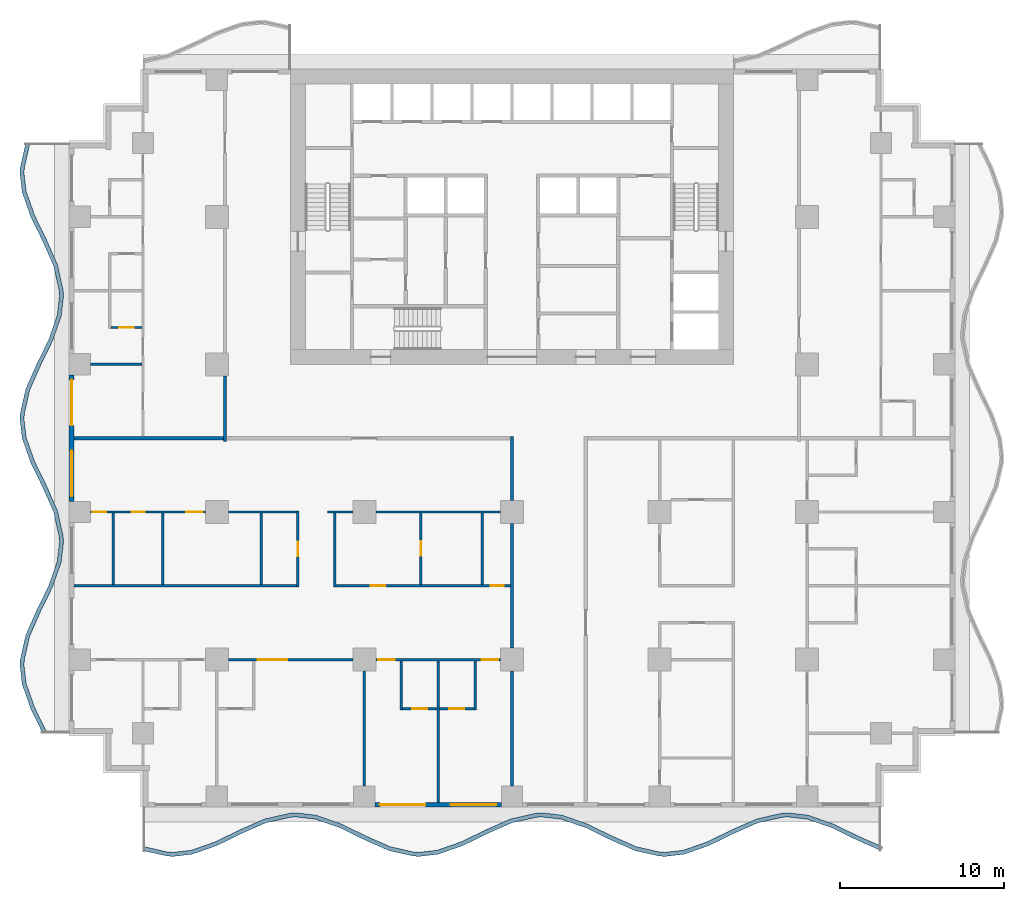
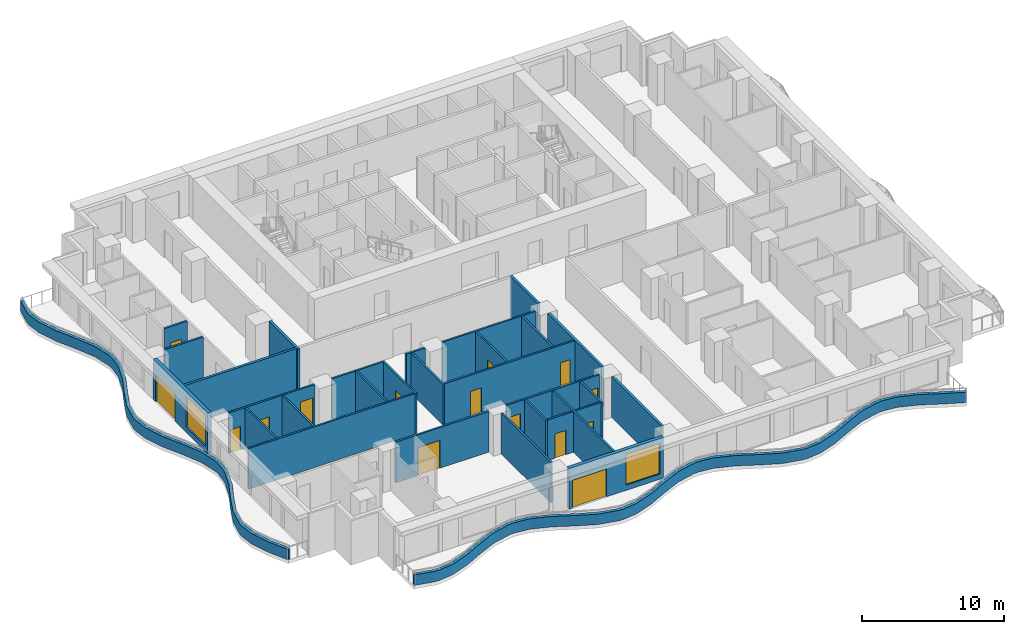
# One storey, part 2 of 14: 32 walls, 15 doors, 2 windows, 17 openings.
"""IFC4 building model written with IfcOpenShell, lengths in metres."""

from ifc_helpers import new_model, si_unit, direction, frame, frame_2d, origin, place, context, subcontext, project, spatial, polyline, rectangle, outline, extrude, material, layer, layer_set, type_object, element, fill, save


model = new_model("IFC4")

# Units and contexts
model_context = context("Model", 3, precision=1e-05, world=origin(), true_north=direction((0.0, 1.0)))
body_context = subcontext(model_context, "Body", "Model", "MODEL_VIEW")
ifc_project = project(units=[si_unit("LENGTHUNIT", "METRE"), si_unit("AREAUNIT", "SQUARE_METRE"), si_unit("VOLUMEUNIT", "CUBIC_METRE"), si_unit("PLANEANGLEUNIT", "RADIAN"), si_unit("MASSUNIT", "GRAM", prefix="KILO")], contexts=[model_context])

# Site, building, storey
site_placement = place(None, origin())
site = spatial("IfcSite", under=ifc_project, at=site_placement, CompositionType="ELEMENT")
building_placement = place(site_placement, origin())
building = spatial("IfcBuilding", under=site, at=building_placement, Name="Orbiselva Terraces", CompositionType="ELEMENT")
storey_placement = place(building_placement, frame((0.0, 0.0, 80.8)))
storey = spatial("IfcBuildingStorey", under=building, at=storey_placement, Name="L20", CompositionType="ELEMENT", Elevation=80.8)

# Walls
ifc_material_1 = material(Name="Concrete C40/50", Category="concrete")
ifc_layer_1 = layer(ifc_material_1, 0.25)
ifc_layer_set_1 = layer_set([ifc_layer_1], Name="Concrete C40/50")
wall_type_1 = type_object("IfcWallType", Name="ENV-PLANTER-250x900", PredefinedType="USERDEFINED", material=ifc_layer_set_1)
wall_1_placement = place(storey_placement, origin())
element("IfcWall", 1, at=wall_1_placement, inside=storey, type_object=wall_type_1, Name="Balcony planter L20 S", ObjectType="PLANTER", PredefinedType="USERDEFINED", context=body_context, shape_type="SweptSolid", body=[
    extrude(outline(polyline([(-22.5, -25.148528), (-21.0, -25.485226), (-20.625, -25.5), (-19.5, -25.369208), (-18.0, -24.844789), (-16.5, -24.112279), (-15.0, -23.451472), (-13.5, -23.114774), (-13.125, -23.1), (-12.0, -23.230792), (-10.5, -23.755211), (-9.0, -24.487721), (-7.5, -25.148528), (-6.0, -25.485226), (-5.625, -25.5), (-4.5, -25.369208), (-3.0, -24.844789), (-1.5, -24.112279), (0.0, -23.451472), (1.5, -23.114774), (1.875, -23.1), (3.0, -23.230792), (4.5, -23.755211), (6.0, -24.487721), (7.5, -25.148528), (9.0, -25.485226), (9.375, -25.5), (10.5, -25.369208), (12.0, -24.844789), (13.5, -24.112279), (15.0, -23.451472), (16.5, -23.114774), (16.875, -23.1), (18.0, -23.230792), (19.5, -23.755211), (21.0, -24.487721), (22.5, -25.148528), (22.600788, -24.919745), (21.105286, -24.260919), (19.59644, -23.524089), (18.056371, -22.985662), (16.884572, -22.849429), (16.467435, -22.865863), (14.921492, -23.212874), (13.394714, -23.885477), (11.90356, -24.613667), (10.443629, -25.124078), (9.365428, -25.249429), (9.032565, -25.236315), (7.578508, -24.90993), (6.105286, -24.260919), (4.59644, -23.524089), (3.056371, -22.985662), (1.884572, -22.849429), (1.467435, -22.865863), (-0.078508, -23.212874), (-1.605286, -23.885477), (-3.09644, -24.613667), (-4.556371, -25.124078), (-5.634572, -25.249429), (-5.967435, -25.236315), (-7.421492, -24.90993), (-8.894714, -24.260919), (-10.40356, -23.524089), (-11.943629, -22.985662), (-13.115428, -22.849429), (-13.532565, -22.865863), (-15.078508, -23.212874), (-16.605286, -23.885477), (-18.09644, -24.613667), (-19.556371, -25.124078), (-20.634572, -25.249429), (-20.967435, -25.236315), (-22.445246, -24.904598), (-22.5, -25.148528)])), origin(), (0.0, 0.0, 1.0), 0.9),
])
wall_2_placement = place(storey_placement, origin())
element("IfcWall", 2, at=wall_2_placement, inside=storey, type_object=wall_type_1, Name="Balcony planter L20 W", ObjectType="PLANTER", PredefinedType="USERDEFINED", context=body_context, shape_type="SweptSolid", body=[
    extrude(outline(polyline([(-29.648528, 18.0), (-29.985226, 16.5), (-30.0, 16.125), (-29.869208, 15.0), (-29.344789, 13.5), (-28.612279, 12.0), (-27.951472, 10.5), (-27.614774, 9.0), (-27.6, 8.625), (-27.730792, 7.5), (-28.255211, 6.0), (-28.987721, 4.5), (-29.648528, 3.0), (-29.985226, 1.5), (-30.0, 1.125), (-29.869208, 0.0), (-29.344789, -1.5), (-28.612279, -3.0), (-27.951472, -4.5), (-27.614774, -6.0), (-27.6, -6.375), (-27.730792, -7.5), (-28.255211, -9.0), (-28.987721, -10.5), (-29.648528, -12.0), (-29.985226, -13.5), (-30.0, -13.875), (-29.869208, -15.0), (-29.344789, -16.5), (-28.612279, -18.0), (-28.387634, -17.890297), (-29.113667, -16.40356), (-29.624078, -14.943629), (-29.749429, -13.865428), (-29.736315, -13.532565), (-29.40993, -12.078508), (-28.760919, -10.605286), (-28.024089, -9.09644), (-27.485662, -7.556371), (-27.349429, -6.384572), (-27.365863, -5.967435), (-27.712874, -4.421492), (-28.385477, -2.894714), (-29.113667, -1.40356), (-29.624078, 0.056371), (-29.749429, 1.134572), (-29.736315, 1.467435), (-29.40993, 2.921492), (-28.760919, 4.394714), (-28.024089, 5.90356), (-27.485662, 7.443629), (-27.349429, 8.615428), (-27.365863, 9.032565), (-27.712874, 10.578508), (-28.385477, 12.105286), (-29.113667, 13.59644), (-29.624078, 15.056371), (-29.749429, 16.134572), (-29.736315, 16.467435), (-29.404598, 17.945246), (-29.648528, 18.0)])), origin(), (0.0, 0.0, 1.0), 0.9),
])

# Wall, openings, door, window
ifc_material_2 = material(Name="Terracotta cladding on masonry backing", Category="masonry")
ifc_layer_2 = layer(ifc_material_2, 0.3)
ifc_layer_set_2 = layer_set([ifc_layer_2], Name="Terracotta cladding on masonry backing")
wall_type_2 = type_object("IfcWallType", Name="ENV-WALL-TERRACOTTA-300", PredefinedType="SOLIDWALL", material=ifc_layer_set_2)
wall_3_placement = place(storey_placement, frame((-0.65, -22.35, 0.0), z_axis=(0.0, 0.0, 1.0), x_axis=(-1.0, 0.0, 0.0)))
wall_3 = element("IfcWall", 3, at=wall_3_placement, inside=storey, type_object=wall_type_2, Name="Facade wall L20 S", PredefinedType="SOLIDWALL", context=body_context, shape_type="SweptSolid", body=[
    extrude(rectangle(XDim=7.7, YDim=0.3, at=frame_2d((3.85, 0.0))), origin(), (0.0, 0.0, 1.0), 3.5),
])
opening_1_placement = place(wall_3_placement, frame((4.625, 0.0, 0.0)))
opening_1 = element("IfcOpeningElement", 4, at=opening_1_placement, cuts=wall_3, Name="Opening Z2-B-E02", PredefinedType="OPENING", context=body_context, shape_type="SweptSolid", body=[
    extrude(rectangle(XDim=2.775, YDim=2.4, at=frame_2d((1.3875, 1.2))), frame((0.0, 0.16, 0.0), z_axis=(0.0, -1.0, 0.0), x_axis=(1.0, 0.0, 0.0)), (0.0, 0.0, 1.0), 0.32),
])
opening_2_placement = place(wall_3_placement, frame((0.3, 0.0, 0.45)))
opening_2 = element("IfcOpeningElement", 5, at=opening_2_placement, cuts=wall_3, Name="Opening WN6", PredefinedType="OPENING", context=body_context, shape_type="SweptSolid", body=[
    extrude(rectangle(XDim=2.775, YDim=2.65, at=frame_2d((1.3875, 1.325))), frame((0.0, 0.16, 0.0), z_axis=(0.0, -1.0, 0.0), x_axis=(1.0, 0.0, 0.0)), (0.0, 0.0, 1.0), 0.32),
])
ifc_material_3 = material(Name="Clear low-e glazing in aluminium frame", Category="aluminium")
door_type_1 = type_object("IfcDoorType", Name="BALCONY DOOR 2775 X 2400", OperationType="DOUBLE_DOOR_SLIDING", PredefinedType="DOOR", material=ifc_material_3)
door_1_placement = place(opening_1_placement, origin())
door_1 = element("IfcDoor", 6, at=door_1_placement, inside=storey, type_object=door_type_1, Name="Z2-B-E02", OperationType="SINGLE_SWING_LEFT", OverallHeight=2.4, OverallWidth=2.775, PredefinedType="DOOR", context=body_context, shape_type="SweptSolid", body=[
    extrude(rectangle(XDim=2.775, YDim=2.4, at=frame_2d((1.3875, 1.2))), frame((0.0, 0.025, 0.0), z_axis=(0.0, -1.0, 0.0), x_axis=(1.0, 0.0, 0.0)), (0.0, 0.0, 1.0), 0.05),
])
fill(opening_1, door_1)
window_type = type_object("IfcWindowType", Name="WINDOW 2775 X 2650 S450", PartitioningType="TRIPLE_PANEL_VERTICAL", PredefinedType="WINDOW", material=ifc_material_3)
window_1_placement = place(opening_2_placement, origin())
window_1 = element("IfcWindow", 7, at=window_1_placement, inside=storey, type_object=window_type, Name="Window L20 S", OverallHeight=2.65, OverallWidth=2.775, PartitioningType="SINGLE_PANEL", PredefinedType="WINDOW", context=body_context, shape_type="SweptSolid", body=[
    extrude(rectangle(XDim=2.775, YDim=2.65, at=frame_2d((1.3875, 1.325))), frame((0.0, 0.03, 0.0), z_axis=(0.0, -1.0, 0.0), x_axis=(1.0, 0.0, 0.0)), (0.0, 0.0, 1.0), 0.06),
])
fill(opening_2, window_1)

wall_4_placement = place(storey_placement, frame((-26.85, -3.85, 0.0), z_axis=(0.0, 0.0, 1.0), x_axis=(0.0, 1.0, 0.0)))
wall_4 = element("IfcWall", 8, at=wall_4_placement, inside=storey, type_object=wall_type_2, Name="Facade wall L20 W", PredefinedType="SOLIDWALL", context=body_context, shape_type="SweptSolid", body=[
    extrude(rectangle(XDim=7.7, YDim=0.3, at=frame_2d((3.85, 0.0))), origin(), (0.0, 0.0, 1.0), 3.5),
])
opening_3_placement = place(wall_4_placement, frame((4.625, 0.0, 0.0)))
opening_3 = element("IfcOpeningElement", 9, at=opening_3_placement, cuts=wall_4, Name="Opening Z2-B-E12", PredefinedType="OPENING", context=body_context, shape_type="SweptSolid", body=[
    extrude(rectangle(XDim=2.775, YDim=2.4, at=frame_2d((1.3875, 1.2))), frame((0.0, 0.16, 0.0), z_axis=(0.0, -1.0, 0.0), x_axis=(1.0, 0.0, 0.0)), (0.0, 0.0, 1.0), 0.32),
])
opening_4_placement = place(wall_4_placement, frame((0.3, 0.0, 0.45)))
opening_4 = element("IfcOpeningElement", 10, at=opening_4_placement, cuts=wall_4, Name="Opening WN6", PredefinedType="OPENING", context=body_context, shape_type="SweptSolid", body=[
    extrude(rectangle(XDim=2.775, YDim=2.65, at=frame_2d((1.3875, 1.325))), frame((0.0, 0.16, 0.0), z_axis=(0.0, -1.0, 0.0), x_axis=(1.0, 0.0, 0.0)), (0.0, 0.0, 1.0), 0.32),
])
door_2_placement = place(opening_3_placement, origin())
door_2 = element("IfcDoor", 11, at=door_2_placement, inside=storey, type_object=door_type_1, Name="Z2-B-E12", OperationType="SINGLE_SWING_LEFT", OverallHeight=2.4, OverallWidth=2.775, PredefinedType="DOOR", context=body_context, shape_type="SweptSolid", body=[
    extrude(rectangle(XDim=2.775, YDim=2.4, at=frame_2d((1.3875, 1.2))), frame((0.0, 0.025, 0.0), z_axis=(0.0, -1.0, 0.0), x_axis=(1.0, 0.0, 0.0)), (0.0, 0.0, 1.0), 0.05),
])
fill(opening_3, door_2)
window_2_placement = place(opening_4_placement, origin())
window_2 = element("IfcWindow", 12, at=window_2_placement, inside=storey, type_object=window_type, Name="Window L20 W", OverallHeight=2.65, OverallWidth=2.775, PartitioningType="SINGLE_PANEL", PredefinedType="WINDOW", context=body_context, shape_type="SweptSolid", body=[
    extrude(rectangle(XDim=2.775, YDim=2.65, at=frame_2d((1.3875, 1.325))), frame((0.0, 0.03, 0.0), z_axis=(0.0, -1.0, 0.0), x_axis=(1.0, 0.0, 0.0)), (0.0, 0.0, 1.0), 0.06),
])
fill(opening_4, window_2)

# Walls
ifc_material_4 = material(Name="Plasterboard on steel stud partition", Category="steel")
ifc_layer_3 = layer(ifc_material_4, 0.2)
ifc_layer_set_3 = layer_set([ifc_layer_3], Name="Plasterboard on steel stud partition")
wall_type_3 = type_object("IfcWallType", Name="UNIT-ENTRANCE-WALL-200", PredefinedType="PARTITIONING", material=ifc_layer_set_3)
wall_5_placement = place(storey_placement, frame((-17.5, -0.2, 0.0), z_axis=(0.0, 0.0, 1.0), x_axis=(0.0, 1.0, 0.0)))
element("IfcWall", 13, at=wall_5_placement, inside=storey, type_object=wall_type_3, Name="PARTITION L20-052", PredefinedType="PARTITIONING", context=body_context, shape_type="SweptSolid", body=[
    extrude(rectangle(XDim=4.0, YDim=0.2, at=frame_2d((2.0, 0.0))), origin(), (0.0, 0.0, 1.0), 3.5),
])
wall_6_placement = place(storey_placement, frame((0.0, -21.2, 0.0), z_axis=(0.0, 0.0, 1.0), x_axis=(0.0, 1.0, 0.0)))
element("IfcWall", 14, at=wall_6_placement, inside=storey, type_object=wall_type_3, Name="PARTITION L20-065", PredefinedType="PARTITIONING", context=body_context, shape_type="SweptSolid", body=[
    extrude(rectangle(XDim=7.0, YDim=0.2, at=frame_2d((3.5, 0.0))), origin(), (0.0, 0.0, 1.0), 3.5),
])
wall_7_placement = place(storey_placement, frame((0.0, -12.8, 0.0), z_axis=(0.0, 0.0, 1.0), x_axis=(0.0, 1.0, 0.0)))
element("IfcWall", 15, at=wall_7_placement, inside=storey, type_object=wall_type_3, Name="PARTITION L20-066", PredefinedType="PARTITIONING", context=body_context, shape_type="SweptSolid", body=[
    extrude(rectangle(XDim=7.6, YDim=0.2, at=frame_2d((3.8, 0.0))), origin(), (0.0, 0.0, 1.0), 3.5),
])
wall_8_placement = place(storey_placement, frame((0.0, -3.8, 0.0), z_axis=(0.0, 0.0, 1.0), x_axis=(0.0, 1.0, 0.0)))
element("IfcWall", 16, at=wall_8_placement, inside=storey, type_object=wall_type_3, Name="PARTITION L20-067", PredefinedType="PARTITIONING", context=body_context, shape_type="SweptSolid", body=[
    extrude(rectangle(XDim=3.9, YDim=0.2, at=frame_2d((1.95, 0.0))), origin(), (0.0, 0.0, 1.0), 3.5),
])

# Wall, opening, door
ifc_layer_4 = layer(ifc_material_4, 0.15)
ifc_layer_set_4 = layer_set([ifc_layer_4], Name="Plasterboard on steel stud partition")
wall_type_4 = type_object("IfcWallType", Name="UNIT-PARTITION-150", PredefinedType="PARTITIONING", material=ifc_layer_set_4)
wall_9_placement = place(storey_placement, frame((-6.675, -16.5, 0.0), z_axis=(0.0, 0.0, 1.0), x_axis=(1.0, 0.0, 0.0)))
wall_9 = element("IfcWall", 17, at=wall_9_placement, inside=storey, type_object=wall_type_4, Name="PARTITION L20-006", PredefinedType="PARTITIONING", context=body_context, shape_type="SweptSolid", body=[
    extrude(rectangle(XDim=2.1, YDim=0.15, at=frame_2d((1.05, 0.0))), origin(), (0.0, 0.0, 1.0), 3.5),
])
opening_5_placement = place(wall_9_placement, frame((0.6, 0.0, 0.0)))
opening_5 = element("IfcOpeningElement", 18, at=opening_5_placement, cuts=wall_9, Name="Opening Z2-B-29", PredefinedType="OPENING", context=body_context, shape_type="SweptSolid", body=[
    extrude(rectangle(XDim=0.9, YDim=2.1, at=frame_2d((0.45, 1.05))), frame((0.0, 0.085, 0.0), z_axis=(0.0, -1.0, 0.0), x_axis=(1.0, 0.0, 0.0)), (0.0, 0.0, 1.0), 0.17),
])
ifc_material_5 = material(Name="Painted timber door leaf", Category="wood")
door_type_2 = type_object("IfcDoorType", Name="BATH DOOR 900", OperationType="NOTDEFINED", PredefinedType="DOOR", material=ifc_material_5)
door_3_placement = place(opening_5_placement, origin())
door_3 = element("IfcDoor", 19, at=door_3_placement, inside=storey, type_object=door_type_2, Name="Z2-B-29", OperationType="SINGLE_SWING_LEFT", OverallHeight=2.1, OverallWidth=0.9, PredefinedType="DOOR", context=body_context, shape_type="SweptSolid", body=[
    extrude(rectangle(XDim=0.9, YDim=2.1, at=frame_2d((0.45, 1.05))), frame((0.0, 0.025, 0.0), z_axis=(0.0, -1.0, 0.0), x_axis=(1.0, 0.0, 0.0)), (0.0, 0.0, 1.0), 0.05),
])
fill(opening_5, door_3)

wall_10_placement = place(storey_placement, frame((-4.425, -16.5, 0.0), z_axis=(0.0, 0.0, 1.0), x_axis=(1.0, 0.0, 0.0)))
wall_10 = element("IfcWall", 20, at=wall_10_placement, inside=storey, type_object=wall_type_4, Name="PARTITION L20-007", PredefinedType="PARTITIONING", context=body_context, shape_type="SweptSolid", body=[
    extrude(rectangle(XDim=2.1, YDim=0.15, at=frame_2d((1.05, 0.0))), origin(), (0.0, 0.0, 1.0), 3.5),
])
opening_6_placement = place(wall_10_placement, frame((0.6, 0.0, 0.0)))
opening_6 = element("IfcOpeningElement", 21, at=opening_6_placement, cuts=wall_10, Name="Opening Z2-B-31", PredefinedType="OPENING", context=body_context, shape_type="SweptSolid", body=[
    extrude(rectangle(XDim=0.9, YDim=2.1, at=frame_2d((0.45, 1.05))), frame((0.0, 0.085, 0.0), z_axis=(0.0, -1.0, 0.0), x_axis=(1.0, 0.0, 0.0)), (0.0, 0.0, 1.0), 0.17),
])
door_4_placement = place(opening_6_placement, origin())
door_4 = element("IfcDoor", 22, at=door_4_placement, inside=storey, type_object=door_type_2, Name="Z2-B-31", OperationType="SINGLE_SWING_RIGHT", OverallHeight=2.1, OverallWidth=0.9, PredefinedType="DOOR", context=body_context, shape_type="SweptSolid", body=[
    extrude(rectangle(XDim=0.9, YDim=2.1, at=frame_2d((0.45, 1.05))), frame((0.0, 0.025, 0.0), z_axis=(0.0, -1.0, 0.0), x_axis=(1.0, 0.0, 0.0)), (0.0, 0.0, 1.0), 0.05),
])
fill(opening_6, door_4)

wall_11_placement = place(storey_placement, frame((-9.7, -13.5, 0.0), z_axis=(0.0, 0.0, 1.0), x_axis=(-1.0, 0.0, 0.0)))
wall_11 = element("IfcWall", 23, at=wall_11_placement, inside=storey, type_object=wall_type_4, Name="PARTITION L20-009", PredefinedType="PARTITIONING", context=body_context, shape_type="SweptSolid", body=[
    extrude(rectangle(XDim=7.6, YDim=0.15, at=frame_2d((3.8, 0.0))), origin(), (0.0, 0.0, 1.0), 3.5),
])
opening_7_placement = place(wall_11_placement, frame((4.0, 0.0, 0.0)))
opening_7 = element("IfcOpeningElement", 24, at=opening_7_placement, cuts=wall_11, Name="Opening Z2-B-26", PredefinedType="OPENING", context=body_context, shape_type="SweptSolid", body=[
    extrude(rectangle(XDim=1.8, YDim=2.4, at=frame_2d((0.9, 1.2))), frame((0.0, 0.085, 0.0), z_axis=(0.0, -1.0, 0.0), x_axis=(1.0, 0.0, 0.0)), (0.0, 0.0, 1.0), 0.17),
])
door_type_3 = type_object("IfcDoorType", Name="DOUBLE DOOR 1800", OperationType="NOTDEFINED", PredefinedType="DOOR", material=ifc_material_5)
door_5_placement = place(opening_7_placement, origin())
door_5 = element("IfcDoor", 25, at=door_5_placement, inside=storey, type_object=door_type_3, Name="Z2-B-26", OperationType="DOUBLE_DOOR_SINGLE_SWING", OverallHeight=2.4, OverallWidth=1.8, PredefinedType="DOOR", context=body_context, shape_type="SweptSolid", body=[
    extrude(rectangle(XDim=1.8, YDim=2.4, at=frame_2d((0.9, 1.2))), frame((0.0, 0.025, 0.0), z_axis=(0.0, -1.0, 0.0), x_axis=(1.0, 0.0, 0.0)), (0.0, 0.0, 1.0), 0.05),
])
fill(opening_7, door_5)

# Wall, openings, doors
wall_12_placement = place(storey_placement, frame((-0.7, -13.5, 0.0), z_axis=(0.0, 0.0, 1.0), x_axis=(-1.0, 0.0, 0.0)))
wall_12 = element("IfcWall", 26, at=wall_12_placement, inside=storey, type_object=wall_type_4, Name="PARTITION L20-010", PredefinedType="PARTITIONING", context=body_context, shape_type="SweptSolid", body=[
    extrude(rectangle(XDim=7.6, YDim=0.15, at=frame_2d((3.8, 0.0))), origin(), (0.0, 0.0, 1.0), 3.5),
])
opening_8_placement = place(wall_12_placement, frame((6.45, 0.0, 0.0)))
opening_8 = element("IfcOpeningElement", 27, at=opening_8_placement, cuts=wall_12, Name="Opening Z2-B-28", PredefinedType="OPENING", context=body_context, shape_type="SweptSolid", body=[
    extrude(rectangle(XDim=1.0, YDim=2.4, at=frame_2d((0.5, 1.2))), frame((0.0, 0.085, 0.0), z_axis=(0.0, -1.0, 0.0), x_axis=(1.0, 0.0, 0.0)), (0.0, 0.0, 1.0), 0.17),
])
opening_9_placement = place(wall_12_placement, frame((0.15, 0.0, 0.0)))
opening_9 = element("IfcOpeningElement", 28, at=opening_9_placement, cuts=wall_12, Name="Opening Z2-B-30", PredefinedType="OPENING", context=body_context, shape_type="SweptSolid", body=[
    extrude(rectangle(XDim=1.0, YDim=2.4, at=frame_2d((0.5, 1.2))), frame((0.0, 0.085, 0.0), z_axis=(0.0, -1.0, 0.0), x_axis=(1.0, 0.0, 0.0)), (0.0, 0.0, 1.0), 0.17),
])
door_type_4 = type_object("IfcDoorType", Name="ROOM DOOR 1000", OperationType="NOTDEFINED", PredefinedType="DOOR", material=ifc_material_5)
door_6_placement = place(opening_8_placement, origin())
door_6 = element("IfcDoor", 29, at=door_6_placement, inside=storey, type_object=door_type_4, Name="Z2-B-28", OperationType="SINGLE_SWING_RIGHT", OverallHeight=2.4, OverallWidth=1.0, PredefinedType="DOOR", context=body_context, shape_type="SweptSolid", body=[
    extrude(rectangle(XDim=1.0, YDim=2.4, at=frame_2d((0.5, 1.2))), frame((0.0, 0.025, 0.0), z_axis=(0.0, -1.0, 0.0), x_axis=(1.0, 0.0, 0.0)), (0.0, 0.0, 1.0), 0.05),
])
fill(opening_8, door_6)
door_7_placement = place(opening_9_placement, origin())
door_7 = element("IfcDoor", 30, at=door_7_placement, inside=storey, type_object=door_type_4, Name="Z2-B-30", OperationType="SINGLE_SWING_LEFT", OverallHeight=2.4, OverallWidth=1.0, PredefinedType="DOOR", context=body_context, shape_type="SweptSolid", body=[
    extrude(rectangle(XDim=1.0, YDim=2.4, at=frame_2d((0.5, 1.2))), frame((0.0, 0.025, 0.0), z_axis=(0.0, -1.0, 0.0), x_axis=(1.0, 0.0, 0.0)), (0.0, 0.0, 1.0), 0.05),
])
fill(opening_9, door_7)

# Wall
wall_13_placement = place(storey_placement, frame((-26.7, -9.0, 0.0), z_axis=(0.0, 0.0, 1.0), x_axis=(1.0, 0.0, 0.0)))
element("IfcWall", 31, at=wall_13_placement, inside=storey, type_object=wall_type_4, Name="PARTITION L20-014", PredefinedType="PARTITIONING", context=body_context, shape_type="SweptSolid", body=[
    extrude(rectangle(XDim=13.575, YDim=0.15, at=frame_2d((6.7875, 0.0))), origin(), (0.0, 0.0, 1.0), 3.5),
])

# Wall, openings, doors
wall_14_placement = place(storey_placement, frame((-10.725, -9.0, 0.0), z_axis=(0.0, 0.0, 1.0), x_axis=(1.0, 0.0, 0.0)))
wall_14 = element("IfcWall", 32, at=wall_14_placement, inside=storey, type_object=wall_type_4, Name="PARTITION L20-015", PredefinedType="PARTITIONING", context=body_context, shape_type="SweptSolid", body=[
    extrude(rectangle(XDim=10.625, YDim=0.15, at=frame_2d((5.3125, 0.0))), origin(), (0.0, 0.0, 1.0), 3.5),
])
opening_10_placement = place(wall_14_placement, frame((2.1, 0.0, 0.0)))
opening_10 = element("IfcOpeningElement", 33, at=opening_10_placement, cuts=wall_14, Name="Opening Z2-B-20", PredefinedType="OPENING", context=body_context, shape_type="SweptSolid", body=[
    extrude(rectangle(XDim=0.9, YDim=2.1, at=frame_2d((0.45, 1.05))), frame((0.0, 0.085, 0.0), z_axis=(0.0, -1.0, 0.0), x_axis=(1.0, 0.0, 0.0)), (0.0, 0.0, 1.0), 0.17),
])
opening_11_placement = place(wall_14_placement, frame((9.425, 0.0, 0.0)))
opening_11 = element("IfcOpeningElement", 34, at=opening_11_placement, cuts=wall_14, Name="Opening Z2-B-22", PredefinedType="OPENING", context=body_context, shape_type="SweptSolid", body=[
    extrude(rectangle(XDim=0.8, YDim=2.0, at=frame_2d((0.4, 1.0))), frame((0.0, 0.085, 0.0), z_axis=(0.0, -1.0, 0.0), x_axis=(1.0, 0.0, 0.0)), (0.0, 0.0, 1.0), 0.17),
])
door_type_5 = type_object("IfcDoorType", Name="SERVICE DOOR 900", OperationType="NOTDEFINED", PredefinedType="DOOR", material=ifc_material_5)
door_8_placement = place(opening_10_placement, origin())
door_8 = element("IfcDoor", 35, at=door_8_placement, inside=storey, type_object=door_type_5, Name="Z2-B-20", OperationType="SINGLE_SWING_LEFT", OverallHeight=2.1, OverallWidth=0.9, PredefinedType="DOOR", context=body_context, shape_type="SweptSolid", body=[
    extrude(rectangle(XDim=0.9, YDim=2.1, at=frame_2d((0.45, 1.05))), frame((0.0, 0.025, 0.0), z_axis=(0.0, -1.0, 0.0), x_axis=(1.0, 0.0, 0.0)), (0.0, 0.0, 1.0), 0.05),
])
fill(opening_10, door_8)
door_type_6 = type_object("IfcDoorType", Name="STORE DOOR 800", OperationType="NOTDEFINED", PredefinedType="DOOR", material=ifc_material_5)
door_9_placement = place(opening_11_placement, origin())
door_9 = element("IfcDoor", 36, at=door_9_placement, inside=storey, type_object=door_type_6, Name="Z2-B-22", OperationType="SINGLE_SWING_RIGHT", OverallHeight=2.0, OverallWidth=0.8, PredefinedType="DOOR", context=body_context, shape_type="SweptSolid", body=[
    extrude(rectangle(XDim=0.8, YDim=2.0, at=frame_2d((0.4, 1.0))), frame((0.0, 0.025, 0.0), z_axis=(0.0, -1.0, 0.0), x_axis=(1.0, 0.0, 0.0)), (0.0, 0.0, 1.0), 0.05),
])
fill(opening_11, door_9)

wall_15_placement = place(storey_placement, frame((-18.7, -4.5, 0.0), z_axis=(0.0, 0.0, 1.0), x_axis=(-1.0, 0.0, 0.0)))
wall_15 = element("IfcWall", 37, at=wall_15_placement, inside=storey, type_object=wall_type_4, Name="PARTITION L20-020", PredefinedType="PARTITIONING", context=body_context, shape_type="SweptSolid", body=[
    extrude(rectangle(XDim=7.0, YDim=0.15, at=frame_2d((3.5, 0.0))), origin(), (0.0, 0.0, 1.0), 3.5),
])
opening_12_placement = place(wall_15_placement, frame((6.05, 0.0, 0.0)))
opening_12 = element("IfcOpeningElement", 38, at=opening_12_placement, cuts=wall_15, Name="Opening Z2-B-16", PredefinedType="OPENING", context=body_context, shape_type="SweptSolid", body=[
    extrude(rectangle(XDim=0.8, YDim=2.0, at=frame_2d((0.4, 1.0))), frame((0.0, 0.085, 0.0), z_axis=(0.0, -1.0, 0.0), x_axis=(1.0, 0.0, 0.0)), (0.0, 0.0, 1.0), 0.17),
])
opening_13_placement = place(wall_15_placement, frame((3.7, 0.0, 0.0)))
opening_13 = element("IfcOpeningElement", 39, at=opening_13_placement, cuts=wall_15, Name="Opening Z2-B-17", PredefinedType="OPENING", context=body_context, shape_type="SweptSolid", body=[
    extrude(rectangle(XDim=0.8, YDim=2.0, at=frame_2d((0.4, 1.0))), frame((0.0, 0.085, 0.0), z_axis=(0.0, -1.0, 0.0), x_axis=(1.0, 0.0, 0.0)), (0.0, 0.0, 1.0), 0.17),
])
opening_14_placement = place(wall_15_placement, frame((0.15, 0.0, 0.0)))
opening_14 = element("IfcOpeningElement", 40, at=opening_14_placement, cuts=wall_15, Name="Opening Z2-B-18", PredefinedType="OPENING", context=body_context, shape_type="SweptSolid", body=[
    extrude(rectangle(XDim=1.0, YDim=2.4, at=frame_2d((0.5, 1.2))), frame((0.0, 0.085, 0.0), z_axis=(0.0, -1.0, 0.0), x_axis=(1.0, 0.0, 0.0)), (0.0, 0.0, 1.0), 0.17),
])
door_10_placement = place(opening_14_placement, origin())
door_10 = element("IfcDoor", 41, at=door_10_placement, inside=storey, type_object=door_type_4, Name="Z2-B-18", OperationType="SINGLE_SWING_LEFT", OverallHeight=2.4, OverallWidth=1.0, PredefinedType="DOOR", context=body_context, shape_type="SweptSolid", body=[
    extrude(rectangle(XDim=1.0, YDim=2.4, at=frame_2d((0.5, 1.2))), frame((0.0, 0.025, 0.0), z_axis=(0.0, -1.0, 0.0), x_axis=(1.0, 0.0, 0.0)), (0.0, 0.0, 1.0), 0.05),
])
fill(opening_14, door_10)
door_11_placement = place(opening_12_placement, origin())
door_11 = element("IfcDoor", 42, at=door_11_placement, inside=storey, type_object=door_type_6, Name="Z2-B-16", OperationType="SINGLE_SWING_RIGHT", OverallHeight=2.0, OverallWidth=0.8, PredefinedType="DOOR", context=body_context, shape_type="SweptSolid", body=[
    extrude(rectangle(XDim=0.8, YDim=2.0, at=frame_2d((0.4, 1.0))), frame((0.0, 0.025, 0.0), z_axis=(0.0, -1.0, 0.0), x_axis=(1.0, 0.0, 0.0)), (0.0, 0.0, 1.0), 0.05),
])
fill(opening_12, door_11)
door_12_placement = place(opening_13_placement, origin())
door_12 = element("IfcDoor", 43, at=door_12_placement, inside=storey, type_object=door_type_6, Name="Z2-B-17", OperationType="SINGLE_SWING_RIGHT", OverallHeight=2.0, OverallWidth=0.8, PredefinedType="DOOR", context=body_context, shape_type="SweptSolid", body=[
    extrude(rectangle(XDim=0.8, YDim=2.0, at=frame_2d((0.4, 1.0))), frame((0.0, 0.025, 0.0), z_axis=(0.0, -1.0, 0.0), x_axis=(1.0, 0.0, 0.0)), (0.0, 0.0, 1.0), 0.05),
])
fill(opening_13, door_12)

# Walls
wall_16_placement = place(storey_placement, frame((-17.3, -4.5, 0.0), z_axis=(0.0, 0.0, 1.0), x_axis=(1.0, 0.0, 0.0)))
element("IfcWall", 44, at=wall_16_placement, inside=storey, type_object=wall_type_4, Name="PARTITION L20-021", PredefinedType="PARTITIONING", context=body_context, shape_type="SweptSolid", body=[
    extrude(rectangle(XDim=4.175, YDim=0.15, at=frame_2d((2.0875, 0.0))), origin(), (0.0, 0.0, 1.0), 3.5),
])
wall_17_placement = place(storey_placement, frame((-11.25, -4.5, 0.0), z_axis=(0.0, 0.0, 1.0), x_axis=(1.0, 0.0, 0.0)))
element("IfcWall", 45, at=wall_17_placement, inside=storey, type_object=wall_type_4, Name="PARTITION L20-022", PredefinedType="PARTITIONING", context=body_context, shape_type="SweptSolid", body=[
    extrude(rectangle(XDim=1.55, YDim=0.15, at=frame_2d((0.775, 0.0))), origin(), (0.0, 0.0, 1.0), 3.5),
])
wall_18_placement = place(storey_placement, frame((-8.3, -4.5, 0.0), z_axis=(0.0, 0.0, 1.0), x_axis=(1.0, 0.0, 0.0)))
element("IfcWall", 46, at=wall_18_placement, inside=storey, type_object=wall_type_4, Name="PARTITION L20-023", PredefinedType="PARTITIONING", context=body_context, shape_type="SweptSolid", body=[
    extrude(rectangle(XDim=7.6, YDim=0.15, at=frame_2d((3.8, 0.0))), origin(), (0.0, 0.0, 1.0), 3.5),
])
wall_19_placement = place(storey_placement, frame((-25.7, 4.5, 0.0), z_axis=(0.0, 0.0, 1.0), x_axis=(1.0, 0.0, 0.0)))
element("IfcWall", 47, at=wall_19_placement, inside=storey, type_object=wall_type_4, Name="PARTITION L20-032", PredefinedType="PARTITIONING", context=body_context, shape_type="SweptSolid", body=[
    extrude(rectangle(XDim=3.125, YDim=0.15, at=frame_2d((1.5625, 0.0))), origin(), (0.0, 0.0, 1.0), 3.5),
])

# Wall, opening, door
wall_20_placement = place(storey_placement, frame((-24.45, 6.75, 0.0), z_axis=(0.0, 0.0, 1.0), x_axis=(1.0, 0.0, 0.0)))
wall_20 = element("IfcWall", 48, at=wall_20_placement, inside=storey, type_object=wall_type_4, Name="PARTITION L20-033", PredefinedType="PARTITIONING", context=body_context, shape_type="SweptSolid", body=[
    extrude(rectangle(XDim=1.875, YDim=0.15, at=frame_2d((0.9375, 0.0))), origin(), (0.0, 0.0, 1.0), 3.5),
])
opening_15_placement = place(wall_20_placement, frame((0.5, 0.0, 0.0)))
opening_15 = element("IfcOpeningElement", 49, at=opening_15_placement, cuts=wall_20, Name="Opening Z2-B-04", PredefinedType="OPENING", context=body_context, shape_type="SweptSolid", body=[
    extrude(rectangle(XDim=0.9, YDim=2.1, at=frame_2d((0.45, 1.05))), frame((0.0, 0.085, 0.0), z_axis=(0.0, -1.0, 0.0), x_axis=(1.0, 0.0, 0.0)), (0.0, 0.0, 1.0), 0.17),
])
door_13_placement = place(opening_15_placement, origin())
door_13 = element("IfcDoor", 50, at=door_13_placement, inside=storey, type_object=door_type_2, Name="Z2-B-04", OperationType="SINGLE_SWING_RIGHT", OverallHeight=2.1, OverallWidth=0.9, PredefinedType="DOOR", context=body_context, shape_type="SweptSolid", body=[
    extrude(rectangle(XDim=0.9, YDim=2.1, at=frame_2d((0.45, 1.05))), frame((0.0, 0.025, 0.0), z_axis=(0.0, -1.0, 0.0), x_axis=(1.0, 0.0, 0.0)), (0.0, 0.0, 1.0), 0.05),
])
fill(opening_15, door_13)

# Walls
for number, where, z_axis, x_axis, name in (
    (51, (-24.3, -8.925, 0.0), (0.0, 0.0, 1.0), (0.0, 1.0, 0.0), "PARTITION L20-044"),
    (52, (-21.3, -8.925, 0.0), (0.0, 0.0, 1.0), (0.0, 1.0, 0.0), "PARTITION L20-049"),
    (53, (-15.3, -8.925, 0.0), (0.0, 0.0, 1.0), (0.0, 1.0, 0.0), "PARTITION L20-056"),
):
    element("IfcWall", number, at=place(storey_placement, frame(where, z_axis=z_axis, x_axis=x_axis)), inside=storey, type_object=wall_type_4, Name=name, PredefinedType="PARTITIONING", context=body_context, shape_type="SweptSolid", body=[
        extrude(rectangle(XDim=4.35, YDim=0.15, at=frame_2d((2.175, 0.0))), origin(), (0.0, 0.0, 1.0), 3.5),
    ])

# Wall, opening, door
wall_21_placement = place(storey_placement, frame((-13.05, -9.075, 0.0), z_axis=(0.0, 0.0, 1.0), x_axis=(0.0, 1.0, 0.0)))
wall_21 = element("IfcWall", 54, at=wall_21_placement, inside=storey, type_object=wall_type_4, Name="PARTITION L20-057", PredefinedType="PARTITIONING", context=body_context, shape_type="SweptSolid", body=[
    extrude(rectangle(XDim=4.65, YDim=0.15, at=frame_2d((2.325, 0.0))), origin(), (0.0, 0.0, 1.0), 3.5),
])
opening_16_placement = place(wall_21_placement, frame((1.875, 0.0, 0.0)))
opening_16 = element("IfcOpeningElement", 55, at=opening_16_placement, cuts=wall_21, Name="Opening Z2-B-19", PredefinedType="OPENING", context=body_context, shape_type="SweptSolid", body=[
    extrude(rectangle(XDim=0.9, YDim=2.1, at=frame_2d((0.45, 1.05))), frame((0.0, 0.085, 0.0), z_axis=(0.0, -1.0, 0.0), x_axis=(1.0, 0.0, 0.0)), (0.0, 0.0, 1.0), 0.17),
])
door_14_placement = place(opening_16_placement, origin())
door_14 = element("IfcDoor", 56, at=door_14_placement, inside=storey, type_object=door_type_2, Name="Z2-B-19", OperationType="SINGLE_SWING_LEFT", OverallHeight=2.1, OverallWidth=0.9, PredefinedType="DOOR", context=body_context, shape_type="SweptSolid", body=[
    extrude(rectangle(XDim=0.9, YDim=2.1, at=frame_2d((0.45, 1.05))), frame((0.0, 0.025, 0.0), z_axis=(0.0, -1.0, 0.0), x_axis=(1.0, 0.0, 0.0)), (0.0, 0.0, 1.0), 0.05),
])
fill(opening_16, door_14)

# Walls
wall_22_placement = place(storey_placement, frame((-10.8, -9.075, 0.0), z_axis=(0.0, 0.0, 1.0), x_axis=(0.0, 1.0, 0.0)))
element("IfcWall", 57, at=wall_22_placement, inside=storey, type_object=wall_type_4, Name="PARTITION L20-058", PredefinedType="PARTITIONING", context=body_context, shape_type="SweptSolid", body=[
    extrude(rectangle(XDim=4.5, YDim=0.15, at=frame_2d((2.25, 0.0))), origin(), (0.0, 0.0, 1.0), 3.5),
])
wall_23_placement = place(storey_placement, frame((-9.0, -21.2, 0.0), z_axis=(0.0, 0.0, 1.0), x_axis=(0.0, 1.0, 0.0)))
element("IfcWall", 58, at=wall_23_placement, inside=storey, type_object=wall_type_4, Name="PARTITION L20-059", PredefinedType="PARTITIONING", context=body_context, shape_type="SweptSolid", body=[
    extrude(rectangle(XDim=7.0, YDim=0.15, at=frame_2d((3.5, 0.0))), origin(), (0.0, 0.0, 1.0), 3.5),
])
wall_24_placement = place(storey_placement, frame((-6.75, -16.575, 0.0), z_axis=(0.0, 0.0, 1.0), x_axis=(0.0, 1.0, 0.0)))
element("IfcWall", 59, at=wall_24_placement, inside=storey, type_object=wall_type_4, Name="PARTITION L20-060", PredefinedType="PARTITIONING", context=body_context, shape_type="SweptSolid", body=[
    extrude(rectangle(XDim=3.0, YDim=0.15, at=frame_2d((1.5, 0.0))), origin(), (0.0, 0.0, 1.0), 3.5),
])

# Wall, opening, door
wall_25_placement = place(storey_placement, frame((-5.55, -4.575, 0.0), z_axis=(0.0, 0.0, 1.0), x_axis=(0.0, -1.0, 0.0)))
wall_25 = element("IfcWall", 60, at=wall_25_placement, inside=storey, type_object=wall_type_4, Name="PARTITION L20-061", PredefinedType="PARTITIONING", context=body_context, shape_type="SweptSolid", body=[
    extrude(rectangle(XDim=4.35, YDim=0.15, at=frame_2d((2.175, 0.0))), origin(), (0.0, 0.0, 1.0), 3.5),
])
opening_17_placement = place(wall_25_placement, frame((1.7, 0.0, 0.0)))
opening_17 = element("IfcOpeningElement", 61, at=opening_17_placement, cuts=wall_25, Name="Opening Z2-B-21", PredefinedType="OPENING", context=body_context, shape_type="SweptSolid", body=[
    extrude(rectangle(XDim=0.9, YDim=2.1, at=frame_2d((0.45, 1.05))), frame((0.0, 0.085, 0.0), z_axis=(0.0, -1.0, 0.0), x_axis=(1.0, 0.0, 0.0)), (0.0, 0.0, 1.0), 0.17),
])
door_15_placement = place(opening_17_placement, origin())
door_15 = element("IfcDoor", 62, at=door_15_placement, inside=storey, type_object=door_type_2, Name="Z2-B-21", OperationType="SINGLE_SWING_LEFT", OverallHeight=2.1, OverallWidth=0.9, PredefinedType="DOOR", context=body_context, shape_type="SweptSolid", body=[
    extrude(rectangle(XDim=0.9, YDim=2.1, at=frame_2d((0.45, 1.05))), frame((0.0, 0.025, 0.0), z_axis=(0.0, -1.0, 0.0), x_axis=(1.0, 0.0, 0.0)), (0.0, 0.0, 1.0), 0.05),
])
fill(opening_17, door_15)

# Walls
wall_26_placement = place(storey_placement, frame((-4.5, -22.2, 0.0), z_axis=(0.0, 0.0, 1.0), x_axis=(0.0, 1.0, 0.0)))
element("IfcWall", 63, at=wall_26_placement, inside=storey, type_object=wall_type_4, Name="PARTITION L20-062", PredefinedType="PARTITIONING", context=body_context, shape_type="SweptSolid", body=[
    extrude(rectangle(XDim=8.625, YDim=0.15, at=frame_2d((4.3125, 0.0))), origin(), (0.0, 0.0, 1.0), 3.5),
])
wall_27_placement = place(storey_placement, frame((-2.25, -16.575, 0.0), z_axis=(0.0, 0.0, 1.0), x_axis=(0.0, 1.0, 0.0)))
element("IfcWall", 64, at=wall_27_placement, inside=storey, type_object=wall_type_4, Name="PARTITION L20-063", PredefinedType="PARTITIONING", context=body_context, shape_type="SweptSolid", body=[
    extrude(rectangle(XDim=3.0, YDim=0.15, at=frame_2d((1.5, 0.0))), origin(), (0.0, 0.0, 1.0), 3.5),
])
wall_28_placement = place(storey_placement, frame((-1.8, -8.925, 0.0), z_axis=(0.0, 0.0, 1.0), x_axis=(0.0, 1.0, 0.0)))
element("IfcWall", 65, at=wall_28_placement, inside=storey, type_object=wall_type_4, Name="PARTITION L20-064", PredefinedType="PARTITIONING", context=body_context, shape_type="SweptSolid", body=[
    extrude(rectangle(XDim=4.35, YDim=0.15, at=frame_2d((2.175, 0.0))), origin(), (0.0, 0.0, 1.0), 3.5),
])
ifc_layer_5 = layer(ifc_material_4, 0.2)
ifc_layer_set_5 = layer_set([ifc_layer_5], Name="Plasterboard on steel stud partition")
wall_type_5 = type_object("IfcWallType", Name="UNIT-PARTY-WALL-200", PredefinedType="PARTITIONING", material=ifc_layer_set_5)
wall_29_placement = place(storey_placement, frame((-26.7, 0.0, 0.0), z_axis=(0.0, 0.0, 1.0), x_axis=(1.0, 0.0, 0.0)))
element("IfcWall", 66, at=wall_29_placement, inside=storey, type_object=wall_type_5, Name="PARTITION L20-029", PredefinedType="PARTITIONING", context=body_context, shape_type="SweptSolid", body=[
    extrude(rectangle(XDim=9.1, YDim=0.2, at=frame_2d((4.55, 0.0))), origin(), (0.0, 0.0, 1.0), 3.5),
])

save(model, "model.ifc")
